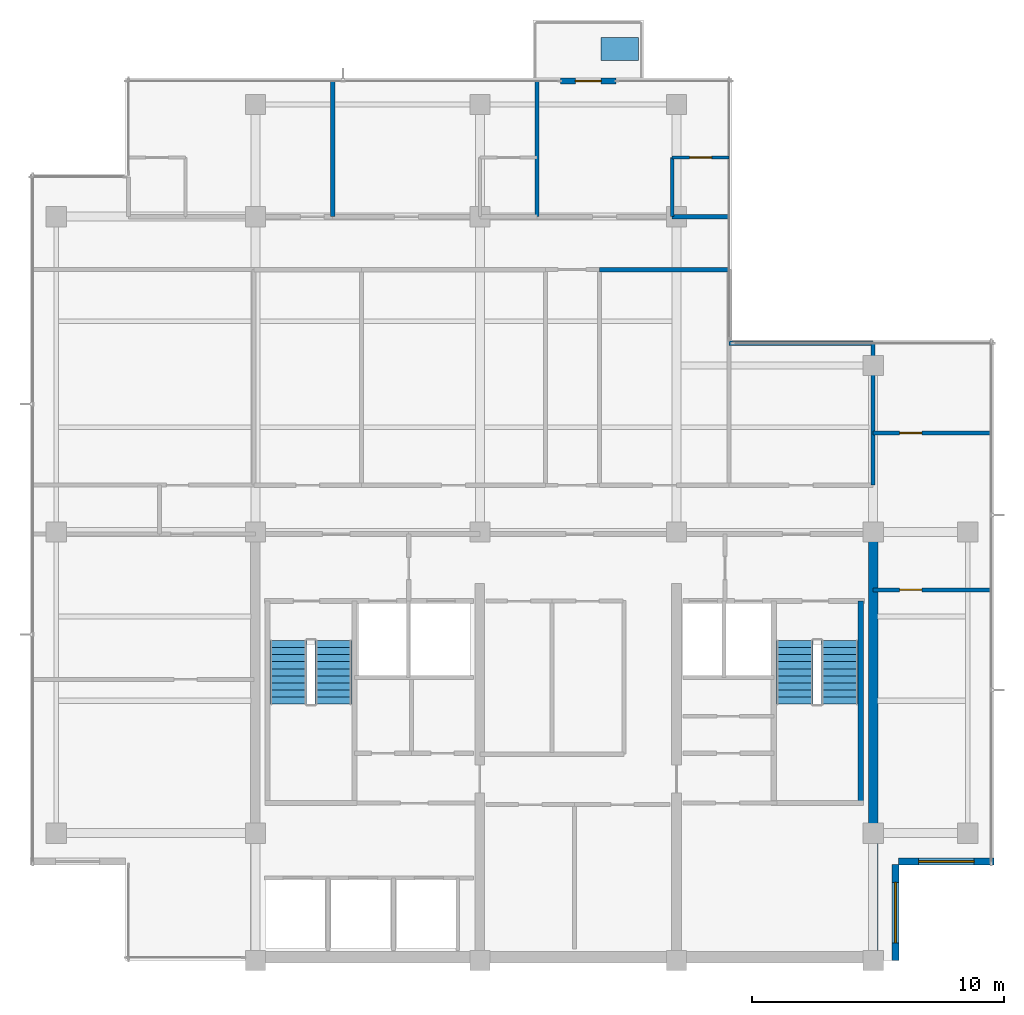
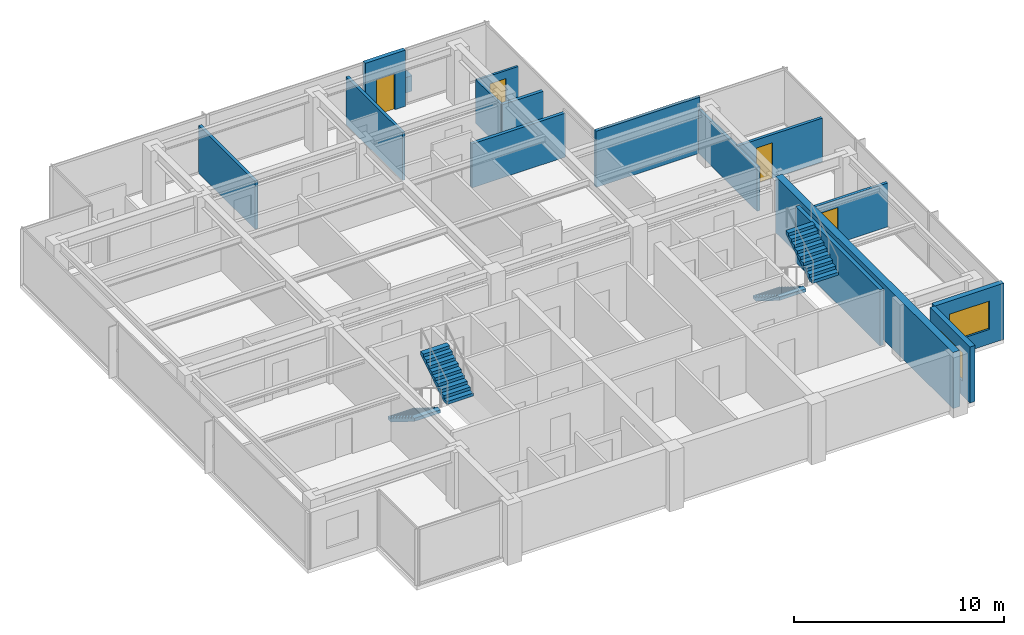
# One storey, part 8 of 11: 15 walls, 4 doors, 4 stair flights, 2 windows, 1 discrete accessory, 6 openings, 2 elements without a shape of their own.
"""IFC4 building model written with IfcOpenShell, lengths in metres."""

from ifc_helpers import new_model, si_unit, direction, frame, frame_2d, origin, place, context, subcontext, project, spatial, polyline, rectangle, outline, extrude, material, layer, layer_set, type_object, element, fill, aggregate, save


model = new_model("IFC4")

# Units and contexts
model_context = context("Model", 3, precision=1e-05, world=origin(), true_north=direction((0.0, 1.0)))
body_context = subcontext(model_context, "Body", "Model", "MODEL_VIEW")
ifc_project = project(units=[si_unit("LENGTHUNIT", "METRE"), si_unit("AREAUNIT", "SQUARE_METRE"), si_unit("VOLUMEUNIT", "CUBIC_METRE"), si_unit("PLANEANGLEUNIT", "RADIAN"), si_unit("MASSUNIT", "GRAM", prefix="KILO")], contexts=[model_context])

# Site, building, storey
site_placement = place(None, origin())
site = spatial("IfcSite", under=ifc_project, at=site_placement, CompositionType="ELEMENT")
building_placement = place(site_placement, origin())
building = spatial("IfcBuilding", under=site, at=building_placement, Name="Qalmaran Belvedere Hotel", CompositionType="ELEMENT")
storey_placement = place(building_placement, frame((0.0, 0.0, 242.39990234375)))
storey = spatial("IfcBuildingStorey", under=building, at=storey_placement, Name="L62", CompositionType="ELEMENT", Elevation=242.39990234375)

# Wall, opening, door
ifc_material_1 = material(Name="Anodised Bronze Cladding")
ifc_layer_1 = layer(ifc_material_1, 0.22509765625, Name="Anodised Bronze Cladding")
ifc_layer_set_1 = layer_set([ifc_layer_1], Name="Anodised Bronze Cladding")
wall_type_1 = type_object("IfcWallType", Name="WL-BAL-PORT-225", PredefinedType="SOLIDWALL", material=ifc_layer_set_1)
wall_1_placement = place(storey_placement, frame((32.39990234375, 38.3798828125, 0.0), z_axis=(0.0, 0.0, 1.0), x_axis=(1.0, 0.0, 0.0)))
wall_1 = element("IfcWall", 1, at=wall_1_placement, inside=storey, type_object=wall_type_1, Name="L62 Tree Balcony Door Portal", PredefinedType="SOLIDWALL", context=body_context, shape_type="SweptSolid", body=[
    extrude(rectangle(XDim=2.2001953125, YDim=0.22509765625, at=frame_2d((1.10009765625, 0.0))), origin(), (0.0, 0.0, 1.0), 3.260009765625),
])
opening_1_placement = place(wall_1_placement, frame((0.590087890625, 0.0, 0.0)))
opening_1 = element("IfcOpeningElement", 2, at=opening_1_placement, cuts=wall_1, Name="Opening BL-102", PredefinedType="OPENING", context=body_context, shape_type="SweptSolid", body=[
    extrude(rectangle(XDim=1.02001953125, YDim=2.10009765625, at=frame_2d((0.510009765625, 1.050048828125))), frame((0.0, 0.12255859375, 0.0), z_axis=(0.0, -1.0, 0.0), x_axis=(1.0, 0.0, 0.0)), (0.0, 0.0, 1.0), 0.2451171875),
])
ifc_material_2 = material(Name="Anodised Bronze Aluminium", Category="aluminium")
door_type_1 = type_object("IfcDoorType", Name="DR-BAL-1020X2100", OperationType="NOTDEFINED", PredefinedType="DOOR", material=ifc_material_2)
door_1_placement = place(opening_1_placement, origin())
door_1 = element("IfcDoor", 3, at=door_1_placement, inside=storey, type_object=door_type_1, Name="L62 Planted Tree Balcony Door", OperationType="SINGLE_SWING_LEFT", OverallHeight=2.10009765625, OverallWidth=1.02001953125, PredefinedType="DOOR", context=body_context, shape_type="SweptSolid", body=[
    extrude(rectangle(XDim=1.02001953125, YDim=2.10009765625, at=frame_2d((0.510009765625, 1.050048828125))), frame((0.0, 0.02490234375, 0.0), z_axis=(0.0, -1.0, 0.0), x_axis=(1.0, 0.0, 0.0)), (0.0, 0.0, 1.0), 0.050048828125),
])
fill(opening_1, door_1)

# Wall
ifc_material_3 = material(Name="Concrete C50/60", Category="concrete")
ifc_layer_2 = layer(ifc_material_3, 0.3798828125, Name="Concrete C50/60")
ifc_layer_set_2 = layer_set([ifc_layer_2], Name="Concrete C50/60")
wall_type_2 = type_object("IfcWallType", Name="WL-CORE-380-C50", PredefinedType="SHEAR", material=ifc_layer_set_2)
wall_2_placement = place(storey_placement, frame((44.800048828125, 3.5, 0.0), z_axis=(0.0, 0.0, 1.0), x_axis=(0.0, 1.0, 0.0)))
element("IfcWall", 4, at=wall_2_placement, inside=storey, type_object=wall_type_2, Name="L62 East Core Shear Wall", PredefinedType="SHEAR", context=body_context, shape_type="SweptSolid", body=[
    extrude(rectangle(XDim=16.89990234375, YDim=0.3798828125, at=frame_2d((8.449951171875, 0.0))), origin(), (0.0, 0.0, 1.0), 3.260009765625),
])

# Wall, opening, window
ifc_layer_3 = layer(ifc_material_1, 0.280029296875, Name="Anodised Bronze Cladding")
ifc_layer_set_3 = layer_set([ifc_layer_3], Name="Anodised Bronze Cladding")
wall_type_3 = type_object("IfcWallType", Name="WL-EXT-BRNZ-280", PredefinedType="SOLIDWALL", material=ifc_layer_set_3)
wall_3_placement = place(storey_placement, frame((45.679931640625, 3.5, 0.0), z_axis=(0.0, 0.0, 1.0), x_axis=(0.0, 1.0, 0.0)))
wall_3 = element("IfcWall", 5, at=wall_3_placement, inside=storey, type_object=wall_type_3, Name="L62 Corner Notch Wall 1", PredefinedType="SOLIDWALL", context=body_context, shape_type="SweptSolid", body=[
    extrude(rectangle(XDim=3.800048828125, YDim=0.280029296875, at=frame_2d((1.89990234375, 0.0))), origin(), (0.0, 0.0, 1.0), 3.260009765625),
])
opening_2_placement = place(wall_3_placement, frame((0.699951171875, 0.0, 0.85009765625)))
opening_2 = element("IfcOpeningElement", 6, at=opening_2_placement, cuts=wall_3, Name="Opening W-N24", PredefinedType="OPENING", context=body_context, shape_type="SweptSolid", body=[
    extrude(rectangle(XDim=2.39990234375, YDim=1.64990234375, at=frame_2d((1.199951171875, 0.824951171875))), frame((0.0, 0.14990234375, 0.0), z_axis=(0.0, -1.0, 0.0), x_axis=(1.0, 0.0, 0.0)), (0.0, 0.0, 1.0), 0.300048828125),
])
ifc_material_4 = material(Name="Solar-Control Double Glazing", Category="glass")
window_type_1 = type_object("IfcWindowType", Name="WN-NTC-2400X1650", PartitioningType="SINGLE_PANEL", PredefinedType="WINDOW", material=ifc_material_4)
window_1_placement = place(opening_2_placement, origin())
window_1 = element("IfcWindow", 7, at=window_1_placement, inside=storey, type_object=window_type_1, Name="L62 Corner Notch Window 1", OverallHeight=1.64990234375, OverallWidth=2.39990234375, PartitioningType="SINGLE_PANEL", PredefinedType="WINDOW", context=body_context, shape_type="SweptSolid", body=[
    extrude(rectangle(XDim=2.39990234375, YDim=1.64990234375, at=frame_2d((1.199951171875, 0.824951171875))), frame((0.0, 0.030029296875, 0.0), z_axis=(0.0, -1.0, 0.0), x_axis=(1.0, 0.0, 0.0)), (0.0, 0.0, 1.0), 0.06005859375),
])
fill(opening_2, window_1)

wall_4_placement = place(storey_placement, frame((45.800048828125, 7.419921875, 0.0), z_axis=(0.0, 0.0, 1.0), x_axis=(1.0, 0.0, 0.0)))
wall_4 = element("IfcWall", 8, at=wall_4_placement, inside=storey, type_object=wall_type_3, Name="L62 Corner Notch Wall 2", PredefinedType="SOLIDWALL", context=body_context, shape_type="SweptSolid", body=[
    extrude(rectangle(XDim=3.800048828125, YDim=0.280029296875, at=frame_2d((1.89990234375, 0.0))), origin(), (0.0, 0.0, 1.0), 3.260009765625),
])
opening_3_placement = place(wall_4_placement, frame((0.800048828125, 0.0, 0.85009765625)))
opening_3 = element("IfcOpeningElement", 9, at=opening_3_placement, cuts=wall_4, Name="Opening W-N22", PredefinedType="OPENING", context=body_context, shape_type="SweptSolid", body=[
    extrude(rectangle(XDim=2.199951171875, YDim=1.64990234375, at=frame_2d((1.10009765625, 0.824951171875))), frame((0.0, 0.14990234375, 0.0), z_axis=(0.0, -1.0, 0.0), x_axis=(1.0, 0.0, 0.0)), (0.0, 0.0, 1.0), 0.300048828125),
])
window_type_2 = type_object("IfcWindowType", Name="WN-NTC-2200X1650", PartitioningType="SINGLE_PANEL", PredefinedType="WINDOW", material=ifc_material_4)
window_2_placement = place(opening_3_placement, origin())
window_2 = element("IfcWindow", 10, at=window_2_placement, inside=storey, type_object=window_type_2, Name="L62 Corner Notch Window 2", OverallHeight=1.64990234375, OverallWidth=2.199951171875, PartitioningType="SINGLE_PANEL", PredefinedType="WINDOW", context=body_context, shape_type="SweptSolid", body=[
    extrude(rectangle(XDim=2.199951171875, YDim=1.64990234375, at=frame_2d((1.10009765625, 0.824951171875))), frame((0.0, 0.030029296875, 0.0), z_axis=(0.0, -1.0, 0.0), x_axis=(1.0, 0.0, 0.0)), (0.0, 0.0, 1.0), 0.06005859375),
])
fill(opening_3, window_2)

# Wall, opening, door
ifc_material_5 = material(Name="Moisture-Resistant Gypsum")
ifc_layer_4 = layer(ifc_material_5, 0.1201171875, Name="Moisture-Resistant Gypsum")
ifc_layer_set_4 = layer_set([ifc_layer_4], Name="Moisture-Resistant Gypsum")
wall_type_4 = type_object("IfcWallType", Name="WL-INT-120-BATH", PredefinedType="PARTITIONING", material=ifc_layer_set_4)
wall_5_placement = place(storey_placement, frame((36.830078125, 35.35009765625, 0.0), z_axis=(0.0, 0.0, 1.0), x_axis=(1.0, 0.0, 0.0)))
wall_5 = element("IfcWall", 11, at=wall_5_placement, inside=storey, type_object=wall_type_4, Name="L62 Partition WL-L62-NBN02", PredefinedType="PARTITIONING", context=body_context, shape_type="SweptSolid", body=[
    extrude(rectangle(XDim=2.25, YDim=0.1201171875, at=frame_2d((1.125, 0.0))), origin(), (0.0, 0.0, 1.0), 2.550048828125),
])
opening_4_placement = place(wall_5_placement, frame((1.56494140625, 0.0, 0.0), z_axis=(0.0, 0.0, 1.0), x_axis=(-1.0, 0.0, 0.0)))
opening_4 = element("IfcOpeningElement", 12, at=opening_4_placement, cuts=wall_5, Name="Opening D-BATH", PredefinedType="OPENING", context=body_context, shape_type="SweptSolid", body=[
    extrude(rectangle(XDim=0.8798828125, YDim=2.080078125, at=frame_2d((0.43994140625, 1.0400390625))), frame((0.0, 0.070068359375, 0.0), z_axis=(0.0, -1.0, 0.0), x_axis=(1.0, 0.0, 0.0)), (0.0, 0.0, 1.0), 0.14013671875),
])
ifc_material_6 = material(Name="Engineered Oak Veneer")
door_type_2 = type_object("IfcDoorType", Name="DR-INT-BATH-880X2080", OperationType="NOTDEFINED", PredefinedType="DOOR", material=ifc_material_6)
door_2_placement = place(opening_4_placement, origin())
door_2 = element("IfcDoor", 13, at=door_2_placement, inside=storey, type_object=door_type_2, Name="L62 Ensuite Bathroom Door N03", OperationType="SINGLE_SWING_LEFT", OverallHeight=2.080078125, OverallWidth=0.8798828125, PredefinedType="DOOR", context=body_context, shape_type="SweptSolid", body=[
    extrude(rectangle(XDim=0.8798828125, YDim=2.080078125, at=frame_2d((0.43994140625, 1.0400390625))), frame((0.0, 0.02490234375, 0.0), z_axis=(0.0, -1.0, 0.0), x_axis=(1.0, 0.0, 0.0)), (0.0, 0.0, 1.0), 0.050048828125),
])
fill(opening_4, door_2)

# Wall
wall_6_placement = place(storey_placement, frame((36.830078125, 33.0, 0.0), z_axis=(0.0, 0.0, 1.0), x_axis=(0.0, 1.0, 0.0)))
element("IfcWall", 14, at=wall_6_placement, inside=storey, type_object=wall_type_4, Name="L62 Partition WL-L62-NBS02", PredefinedType="PARTITIONING", context=body_context, shape_type="SweptSolid", body=[
    extrude(rectangle(XDim=2.35009765625, YDim=0.1201171875, at=frame_2d((1.175048828125, 0.0))), origin(), (0.0, 0.0, 1.0), 2.550048828125),
])

# Wall, opening, door
ifc_material_7 = material(Name="Gypsum Stud Partition")
ifc_layer_5 = layer(ifc_material_7, 0.159912109375, Name="Gypsum Stud Partition")
ifc_layer_set_5 = layer_set([ifc_layer_5], Name="Gypsum Stud Partition")
wall_type_5 = type_object("IfcWallType", Name="WL-INT-160-EI60", PredefinedType="PARTITIONING", material=ifc_layer_set_5)
wall_7_placement = place(storey_placement, frame((44.800048828125, 18.199951171875, 0.0), z_axis=(0.0, 0.0, 1.0), x_axis=(1.0, 0.0, 0.0)))
wall_7 = element("IfcWall", 15, at=wall_7_placement, inside=storey, type_object=wall_type_5, Name="L62 Partition WL-L62-C4EES", PredefinedType="PARTITIONING", context=body_context, shape_type="SweptSolid", body=[
    extrude(rectangle(XDim=4.679931640625, YDim=0.159912109375, at=frame_2d((2.33984375, 0.0))), origin(), (0.0, 0.0, 1.0), 2.550048828125),
])
opening_5_placement = place(wall_7_placement, frame((1.929931640625, 0.0, 0.0), z_axis=(0.0, 0.0, 1.0), x_axis=(-1.0, 0.0, 0.0)))
opening_5 = element("IfcOpeningElement", 16, at=opening_5_placement, cuts=wall_7, Name="Opening FD60B", PredefinedType="OPENING", context=body_context, shape_type="SweptSolid", body=[
    extrude(rectangle(XDim=0.8798828125, YDim=2.080078125, at=frame_2d((0.43994140625, 1.0400390625))), frame((0.0, 0.08984375, 0.0), z_axis=(0.0, -1.0, 0.0), x_axis=(1.0, 0.0, 0.0)), (0.0, 0.0, 1.0), 0.179931640625),
])
ifc_material_8 = material(Name="Steel S355JR", Category="steel")
door_type_3 = type_object("IfcDoorType", Name="DR-FD60B-880X2080", OperationType="NOTDEFINED", PredefinedType="DOOR", material=ifc_material_8)
door_3_placement = place(opening_5_placement, origin())
door_3 = element("IfcDoor", 17, at=door_3_placement, inside=storey, type_object=door_type_3, Name="L62 East Reading Door", OperationType="SINGLE_SWING_LEFT", OverallHeight=2.080078125, OverallWidth=0.8798828125, PredefinedType="DOOR", context=body_context, shape_type="SweptSolid", body=[
    extrude(rectangle(XDim=0.8798828125, YDim=2.080078125, at=frame_2d((0.43994140625, 1.0400390625))), frame((0.0, 0.02490234375, 0.0), z_axis=(0.0, -1.0, 0.0), x_axis=(1.0, 0.0, 0.0)), (0.0, 0.0, 1.0), 0.050048828125),
])
fill(opening_5, door_3)

wall_8_placement = place(storey_placement, frame((44.800048828125, 24.419921875, 0.0), z_axis=(0.0, 0.0, 1.0), x_axis=(1.0, 0.0, 0.0)))
wall_8 = element("IfcWall", 18, at=wall_8_placement, inside=storey, type_object=wall_type_5, Name="L62 Partition WL-L62-C4EEN", PredefinedType="PARTITIONING", context=body_context, shape_type="SweptSolid", body=[
    extrude(rectangle(XDim=4.679931640625, YDim=0.159912109375, at=frame_2d((2.33984375, 0.0))), origin(), (0.0, 0.0, 1.0), 2.550048828125),
])
opening_6_placement = place(wall_8_placement, frame((1.050048828125, 0.0, 0.0)))
opening_6 = element("IfcOpeningElement", 19, at=opening_6_placement, cuts=wall_8, Name="Opening FD60B", PredefinedType="OPENING", context=body_context, shape_type="SweptSolid", body=[
    extrude(rectangle(XDim=0.8798828125, YDim=2.080078125, at=frame_2d((0.43994140625, 1.0400390625))), frame((0.0, 0.08984375, 0.0), z_axis=(0.0, -1.0, 0.0), x_axis=(1.0, 0.0, 0.0)), (0.0, 0.0, 1.0), 0.179931640625),
])
door_4_placement = place(opening_6_placement, origin())
door_4 = element("IfcDoor", 20, at=door_4_placement, inside=storey, type_object=door_type_3, Name="L62 East Study Door", OperationType="SINGLE_SWING_RIGHT", OverallHeight=2.080078125, OverallWidth=0.8798828125, PredefinedType="DOOR", context=body_context, shape_type="SweptSolid", body=[
    extrude(rectangle(XDim=0.8798828125, YDim=2.080078125, at=frame_2d((0.43994140625, 1.0400390625))), frame((0.0, 0.02490234375, 0.0), z_axis=(0.0, -1.0, 0.0), x_axis=(1.0, 0.0, 0.0)), (0.0, 0.0, 1.0), 0.050048828125),
])
fill(opening_6, door_4)

# Walls
wall_9_placement = place(storey_placement, frame((44.800048828125, 22.35009765625, 0.0), z_axis=(0.0, 0.0, 1.0), x_axis=(0.0, 1.0, 0.0)))
element("IfcWall", 21, at=wall_9_placement, inside=storey, type_object=wall_type_5, Name="L62 Partition WL-L62-C4MFVR1", PredefinedType="PARTITIONING", context=body_context, shape_type="SweptSolid", body=[
    extrude(rectangle(XDim=5.6298828125, YDim=0.159912109375, at=frame_2d((2.81494140625, 0.0))), origin(), (0.0, 0.0, 1.0), 2.550048828125),
])
for number, where, z_axis, x_axis, name in (
    (22, (23.365478515625, 33.0, 0.0), (0.0, 0.0, 1.0), (0.0, 1.0, 0.0), "L62 Partition WL-L62-NUR00"),
    (23, (31.460693359375, 33.0, 0.0), (0.0, 0.0, 1.0), (0.0, 1.0, 0.0), "L62 Partition WL-L62-NUR01"),
):
    element("IfcWall", number, at=place(storey_placement, frame(where, z_axis=z_axis, x_axis=x_axis)), inside=storey, type_object=wall_type_5, Name=name, PredefinedType="PARTITIONING", context=body_context, shape_type="SweptSolid", body=[
        extrude(rectangle(XDim=5.3798828125, YDim=0.159912109375, at=frame_2d((2.68994140625, 0.0))), origin(), (0.0, 0.0, 1.0), 2.781982421875),
    ])
ifc_layer_6 = layer(ifc_material_7, 0.179931640625, Name="Gypsum Stud Partition")
ifc_layer_set_6 = layer_set([ifc_layer_6], Name="Gypsum Stud Partition")
wall_type_6 = type_object("IfcWallType", Name="WL-INT-180-EI60", PredefinedType="PARTITIONING", material=ifc_layer_set_6)
wall_10_placement = place(storey_placement, frame((33.949951171875, 30.89990234375, 0.0), z_axis=(0.0, 0.0, 1.0), x_axis=(1.0, 0.0, 0.0)))
element("IfcWall", 24, at=wall_10_placement, inside=storey, type_object=wall_type_6, Name="L62 Partition WL-L62-C4MEO1", PredefinedType="PARTITIONING", context=body_context, shape_type="SweptSolid", body=[
    extrude(rectangle(XDim=5.130126953125, YDim=0.179931640625, at=frame_2d((2.56494140625, 0.0))), origin(), (0.0, 0.0, 1.0), 2.550048828125),
])
wall_11_placement = place(storey_placement, frame((39.080078125, 27.97998046875, 0.0), z_axis=(0.0, 0.0, 1.0), x_axis=(1.0, 0.0, 0.0)))
element("IfcWall", 25, at=wall_11_placement, inside=storey, type_object=wall_type_6, Name="L62 Partition WL-L62-C4MFO1", PredefinedType="PARTITIONING", context=body_context, shape_type="SweptSolid", body=[
    extrude(rectangle(XDim=5.719970703125, YDim=0.179931640625, at=frame_2d((2.85986328125, 0.0))), origin(), (0.0, 0.0, 1.0), 3.260009765625),
])
wall_12_placement = place(storey_placement, frame((36.830078125, 33.0, 0.0), z_axis=(0.0, 0.0, 1.0), x_axis=(1.0, 0.0, 0.0)))
element("IfcWall", 26, at=wall_12_placement, inside=storey, type_object=wall_type_6, Name="L62 Partition WL-L62-NBC02", PredefinedType="PARTITIONING", context=body_context, shape_type="SweptSolid", body=[
    extrude(rectangle(XDim=2.25, YDim=0.179931640625, at=frame_2d((1.125, 0.0))), origin(), (0.0, 0.0, 1.0), 2.550048828125),
])
ifc_layer_7 = layer(ifc_material_3, 0.2099609375, Name="Concrete C50/60")
ifc_layer_set_7 = layer_set([ifc_layer_7], Name="Concrete C50/60")
wall_type_7 = type_object("IfcWallType", Name="WL-STAIR-210-C50", PredefinedType="SHEAR", material=ifc_layer_set_7)
wall_13_placement = place(storey_placement, frame((44.304931640625, 9.7451171875, 0.0), z_axis=(0.0, 0.0, 1.0), x_axis=(0.0, 1.0, 0.0)))
element("IfcWall", 27, at=wall_13_placement, inside=storey, type_object=wall_type_7, Name="L62 Stair ST-2 East Bearing Wall", PredefinedType="SHEAR", context=body_context, shape_type="SweptSolid", body=[
    extrude(rectangle(XDim=8.009765625, YDim=0.2099609375, at=frame_2d((4.0048828125, 0.0))), origin(), (0.0, 0.0, 1.0), 3.260009765625),
])

# Stair, stair flights
ifc_material_9 = material(Name="Concrete C40/50", Category="concrete")
stair_type_1 = type_object("IfcStairType", Name="STR-ST-1-1450-R1750", PredefinedType="HALF_TURN_STAIR", material=ifc_material_9)
stair_1_placement = place(storey_placement, origin())
stair_1 = element("IfcStair", 28, at=stair_1_placement, inside=storey, type_object=stair_type_1, Name="L62 West Core Exit Stair ST-1", PredefinedType="HALF_TURN_STAIR")
ifc_layer_8 = layer(ifc_material_9, 0.14990234375, Name="Concrete C40/50")
ifc_layer_set_8 = layer_set([ifc_layer_8], Name="Concrete C40/50")
stair_flight_type_1 = type_object("IfcStairFlightType", Name="STF-ST-1-1450-R1750", PredefinedType="STRAIGHT", material=ifc_layer_set_8)
stair_flight_1_placement = place(storey_placement, frame((21.60498046875, 16.18994140625, 0.0), z_axis=(0.0, 0.0, 1.0), x_axis=(0.0, -1.0, 0.0)))
stair_flight_1 = element("IfcStairFlight", 29, at=stair_flight_1_placement, type_object=stair_flight_type_1, Name="ST-1 flight 1", NumberOfRisers=10, NumberOfTreads=9, PredefinedType="STRAIGHT", RiserHeight=0.175, TreadLength=0.28, context=body_context, shape_type="SweptSolid", body=[
    extrude(outline(polyline([(0.0, 0.0), (0.0, 0.175048828125), (0.280029296875, 0.175048828125), (0.280029296875, 0.35009765625), (0.56005859375, 0.35009765625), (0.56005859375, 0.52490234375), (0.840087890625, 0.52490234375), (0.840087890625, 0.699951171875), (1.1201171875, 0.699951171875), (1.1201171875, 0.875), (1.39990234375, 0.875), (1.39990234375, 1.050048828125), (1.679931640625, 1.050048828125), (1.679931640625, 1.22509765625), (1.9599609375, 1.22509765625), (1.9599609375, 1.39990234375), (2.239990234375, 1.39990234375), (2.239990234375, 1.574951171875), (2.52001953125, 1.574951171875), (2.52001953125, 1.75), (2.52001953125, 1.398193359375), (0.28271484375, 0.0), (0.0, 0.0)])), frame((0.0, 0.72509765625, 0.0), z_axis=(0.0, -1.0, 0.0), x_axis=(1.0, 0.0, 0.0)), (0.0, 0.0, 1.0), 1.449951171875),
])
stair_flight_2_placement = place(storey_placement, frame((23.39501953125, 13.669921875, 1.75), z_axis=(0.0, 0.0, 1.0), x_axis=(0.0, 1.0, 0.0)))
stair_flight_2 = element("IfcStairFlight", 30, at=stair_flight_2_placement, type_object=stair_flight_type_1, Name="ST-1 flight 2", NumberOfRisers=10, NumberOfTreads=9, PredefinedType="STRAIGHT", RiserHeight=0.175, TreadLength=0.28, context=body_context, shape_type="SweptSolid", body=[
    extrude(outline(polyline([(0.0, 0.0), (0.0, 0.175048828125), (0.280029296875, 0.175048828125), (0.280029296875, 0.35009765625), (0.56005859375, 0.35009765625), (0.56005859375, 0.52490234375), (0.840087890625, 0.52490234375), (0.840087890625, 0.699951171875), (1.1201171875, 0.699951171875), (1.1201171875, 0.875), (1.39990234375, 0.875), (1.39990234375, 1.050048828125), (1.679931640625, 1.050048828125), (1.679931640625, 1.22509765625), (1.9599609375, 1.22509765625), (1.9599609375, 1.39990234375), (2.239990234375, 1.39990234375), (2.239990234375, 1.574951171875), (2.52001953125, 1.574951171875), (2.52001953125, 1.75), (2.52001953125, 1.398193359375), (0.28271484375, 0.0), (0.0, 0.0)])), frame((0.0, 0.72509765625, 0.0), z_axis=(0.0, -1.0, 0.0), x_axis=(1.0, 0.0, 0.0)), (0.0, 0.0, 1.0), 1.449951171875),
])
aggregate(stair_1, [stair_flight_1, stair_flight_2])

stair_type_2 = type_object("IfcStairType", Name="STR-ST-2-1450-R1750", PredefinedType="HALF_TURN_STAIR", material=ifc_material_9)
stair_2_placement = place(storey_placement, origin())
stair_2 = element("IfcStair", 31, at=stair_2_placement, inside=storey, type_object=stair_type_2, Name="L62 East Core Exit Stair ST-2", PredefinedType="HALF_TURN_STAIR")
ifc_layer_9 = layer(ifc_material_9, 0.14990234375, Name="Concrete C40/50")
ifc_layer_set_9 = layer_set([ifc_layer_9], Name="Concrete C40/50")
stair_flight_type_2 = type_object("IfcStairFlightType", Name="STF-ST-2-1450-R1750", PredefinedType="STRAIGHT", material=ifc_layer_set_9)
stair_flight_3_placement = place(storey_placement, frame((41.68505859375, 16.18994140625, 0.0), z_axis=(0.0, 0.0, 1.0), x_axis=(0.0, -1.0, 0.0)))
stair_flight_3 = element("IfcStairFlight", 32, at=stair_flight_3_placement, type_object=stair_flight_type_2, Name="ST-2 flight 1", NumberOfRisers=10, NumberOfTreads=9, PredefinedType="STRAIGHT", RiserHeight=0.175, TreadLength=0.28, context=body_context, shape_type="SweptSolid", body=[
    extrude(outline(polyline([(0.0, 0.0), (0.0, 0.175048828125), (0.280029296875, 0.175048828125), (0.280029296875, 0.35009765625), (0.56005859375, 0.35009765625), (0.56005859375, 0.52490234375), (0.840087890625, 0.52490234375), (0.840087890625, 0.699951171875), (1.1201171875, 0.699951171875), (1.1201171875, 0.875), (1.39990234375, 0.875), (1.39990234375, 1.050048828125), (1.679931640625, 1.050048828125), (1.679931640625, 1.22509765625), (1.9599609375, 1.22509765625), (1.9599609375, 1.39990234375), (2.239990234375, 1.39990234375), (2.239990234375, 1.574951171875), (2.52001953125, 1.574951171875), (2.52001953125, 1.75), (2.52001953125, 1.398193359375), (0.28271484375, 0.0), (0.0, 0.0)])), frame((0.0, 0.72509765625, 0.0), z_axis=(0.0, -1.0, 0.0), x_axis=(1.0, 0.0, 0.0)), (0.0, 0.0, 1.0), 1.449951171875),
])
stair_flight_4_placement = place(storey_placement, frame((43.47509765625, 13.669921875, 1.75), z_axis=(0.0, 0.0, 1.0), x_axis=(0.0, 1.0, 0.0)))
stair_flight_4 = element("IfcStairFlight", 33, at=stair_flight_4_placement, type_object=stair_flight_type_2, Name="ST-2 flight 2", NumberOfRisers=10, NumberOfTreads=9, PredefinedType="STRAIGHT", RiserHeight=0.175, TreadLength=0.28, context=body_context, shape_type="SweptSolid", body=[
    extrude(outline(polyline([(0.0, 0.0), (0.0, 0.175048828125), (0.280029296875, 0.175048828125), (0.280029296875, 0.35009765625), (0.56005859375, 0.35009765625), (0.56005859375, 0.52490234375), (0.840087890625, 0.52490234375), (0.840087890625, 0.699951171875), (1.1201171875, 0.699951171875), (1.1201171875, 0.875), (1.39990234375, 0.875), (1.39990234375, 1.050048828125), (1.679931640625, 1.050048828125), (1.679931640625, 1.22509765625), (1.9599609375, 1.22509765625), (1.9599609375, 1.39990234375), (2.239990234375, 1.39990234375), (2.239990234375, 1.574951171875), (2.52001953125, 1.574951171875), (2.52001953125, 1.75), (2.52001953125, 1.398193359375), (0.28271484375, 0.0), (0.0, 0.0)])), frame((0.0, 0.72509765625, 0.0), z_axis=(0.0, -1.0, 0.0), x_axis=(1.0, 0.0, 0.0)), (0.0, 0.0, 1.0), 1.449951171875),
])
aggregate(stair_2, [stair_flight_3, stair_flight_4])

# Discrete accessory
discrete_accessory_type = type_object("IfcDiscreteAccessoryType", Name="PLN-BAL-1500", PredefinedType="USERDEFINED", material=ifc_material_9)
discrete_accessory_placement = place(storey_placement, origin())
element("IfcDiscreteAccessory", 34, at=discrete_accessory_placement, inside=storey, type_object=discrete_accessory_type, Name="L62 Sky Tree Planter", ObjectType="PLANTER", PredefinedType="USERDEFINED", context=body_context, shape_type="SweptSolid", body=[
    extrude(outline(polyline([(34.0, 39.199951171875), (35.5, 39.199951171875), (35.5, 40.10009765625), (34.0, 40.10009765625), (34.0, 39.199951171875)])), origin(), (0.0, 0.0, 1.0), 0.900146484375),
])

save(model, "model.ifc")
